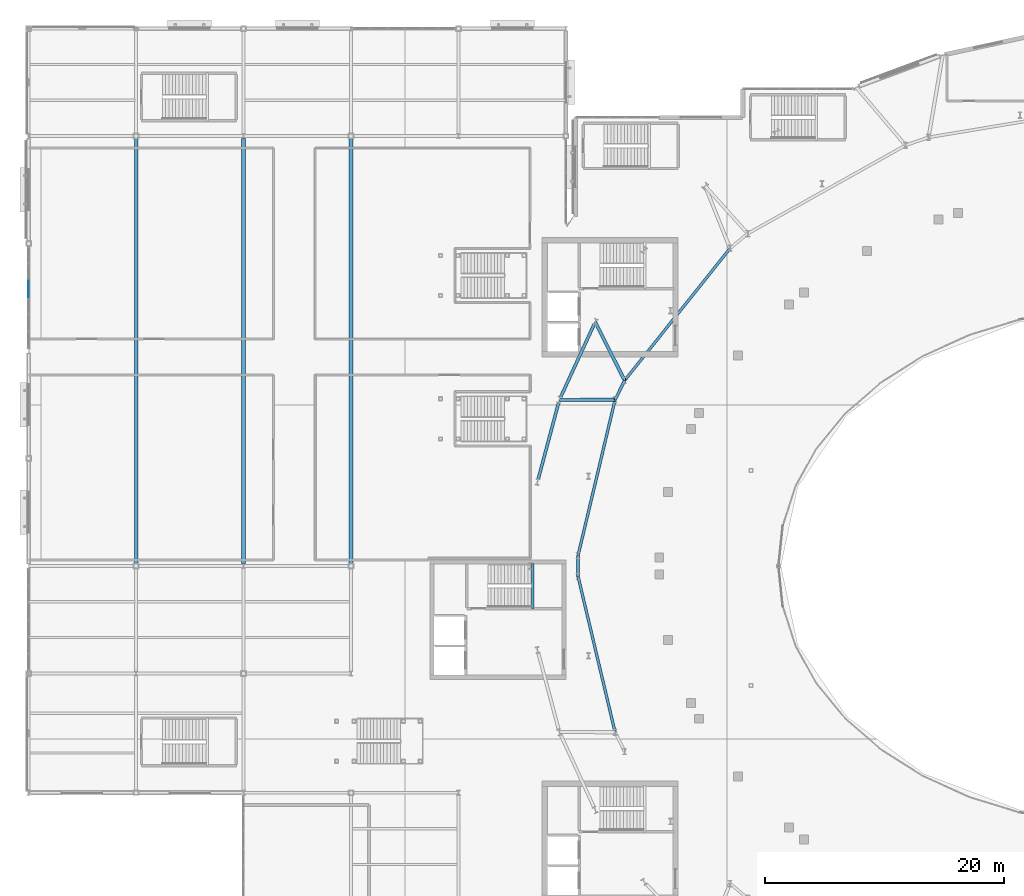
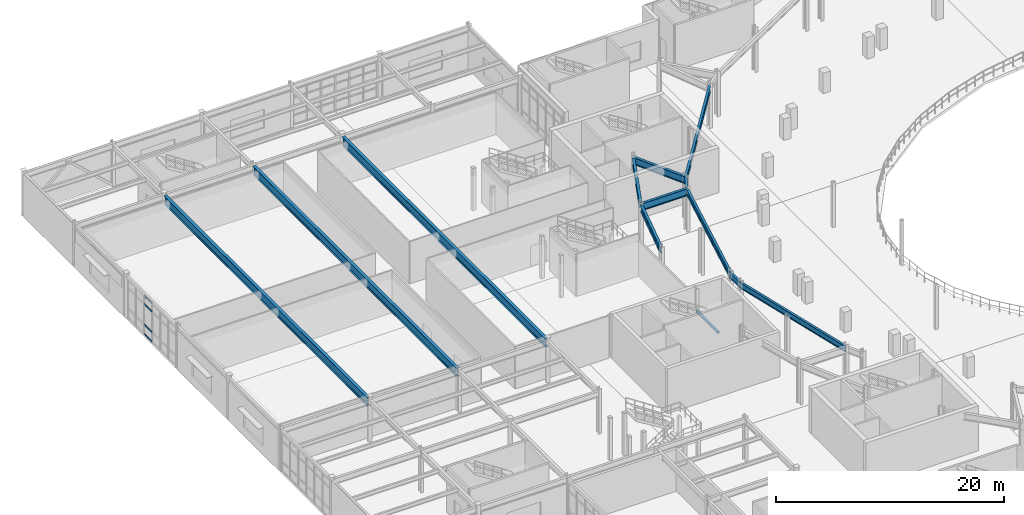
# One storey, part 38 of 84: 13 beams, 4 members, 1 element without a shape of its own.
"""IFC4 building model written with IfcOpenShell, lengths in metres."""

from ifc_helpers import new_model, si_unit, direction, frame, origin, origin_2d, place, context, subcontext, project, spatial, rectangle, hollow_rectangle, i_section, extrude, material, material_profile, profile_set, type_object, element, aggregate, save


model = new_model("IFC4")

# Units and contexts
model_context = context("Model", 3, precision=1e-05, world=origin(), true_north=direction((0.0, 1.0)))
body_context = subcontext(model_context, "Body", "Model", "MODEL_VIEW")
ifc_project = project(units=[si_unit("LENGTHUNIT", "METRE"), si_unit("AREAUNIT", "SQUARE_METRE"), si_unit("VOLUMEUNIT", "CUBIC_METRE"), si_unit("PLANEANGLEUNIT", "RADIAN"), si_unit("MASSUNIT", "GRAM", prefix="KILO")], contexts=[model_context])

# Site, building, storey
site_placement = place(None, origin())
site = spatial("IfcSite", under=ifc_project, at=site_placement, CompositionType="ELEMENT")
building_placement = place(site_placement, origin())
building = spatial("IfcBuilding", under=site, at=building_placement, Name="Glasvene Arena", CompositionType="ELEMENT")
storey_placement = place(building_placement, frame((0.0, 0.0, 10.199951171875)))
storey = spatial("IfcBuildingStorey", under=building, at=storey_placement, Name="L02", CompositionType="ELEMENT", Elevation=10.199951171875)

# Beams
ifc_material_1 = material(Name="Steel S355J2", Category="steel")
ifc_material_profile_1 = material_profile(ifc_material_1, i_section(OverallWidth=0.228271484375, OverallDepth=0.607666015625, WebThickness=0.010986328125, FlangeThickness=0.017333984375, FilletRadius=0.0126953125, at=origin_2d()), Name="UKB 610x229x113")
ifc_profile_set_1 = profile_set([ifc_material_profile_1], Name="Steel S355J2")
beam_type_1 = type_object("IfcBeamType", Name="BM-GIRD-610", PredefinedType="BEAM", material=ifc_profile_set_1)
beam_1_placement = place(storey_placement, frame((58.743408203125, 99.59912109375, 4.215087890625), z_axis=(-0.623899670594, -0.781504447226, 0.0), x_axis=(0.781504447226, -0.623899670594, 0.0)))
element("IfcBeam", 1, at=beam_1_placement, inside=storey, type_object=beam_type_1, Name="Concourse inner ring girder L02-13", PredefinedType="BEAM", context=body_context, shape_type="SweptSolid", body=[
    extrude(i_section(OverallWidth=0.228271484375, OverallDepth=0.607666015625, WebThickness=0.010986328125, FlangeThickness=0.017333984375, FilletRadius=0.0126953125, at=origin_2d()), origin(), (0.0, 0.0, 1.0), 14.1552734375),
])
beam_2_placement = place(storey_placement, frame((49.911865234375, 88.53662109375, 4.215087890625), z_axis=(-0.443576698242, -0.896236415672, 0.0), x_axis=(0.896236415672, -0.443576698242, 0.0)))
element("IfcBeam", 2, at=beam_2_placement, inside=storey, type_object=beam_type_1, Name="Concourse inner ring girder L02-14", PredefinedType="BEAM", context=body_context, shape_type="SweptSolid", body=[
    extrude(i_section(OverallWidth=0.228271484375, OverallDepth=0.607666015625, WebThickness=0.010986328125, FlangeThickness=0.017333984375, FilletRadius=0.0126953125, at=origin_2d()), origin(), (0.0, 0.0, 1.0), 1.80078125),
])
beam_3_placement = place(storey_placement, frame((49.113037109375, 86.922607421875, 4.215087890625), z_axis=(-0.23122513322, -0.972900271234, 0.0), x_axis=(0.972900271234, -0.23122513322, 0.0)))
element("IfcBeam", 3, at=beam_3_placement, inside=storey, type_object=beam_type_1, Name="Concourse inner ring girder L02-15", PredefinedType="BEAM", context=body_context, shape_type="SweptSolid", body=[
    extrude(i_section(OverallWidth=0.228271484375, OverallDepth=0.607666015625, WebThickness=0.010986328125, FlangeThickness=0.017333984375, FilletRadius=0.0126953125, at=origin_2d()), origin(), (0.0, 0.0, 1.0), 13.41259765625),
])
beam_4_placement = place(storey_placement, frame((46.01171875, 73.87353515625, 4.215087890625), z_axis=(0.0, -1.0, 0.0), x_axis=(1.0, 0.0, 0.0)))
element("IfcBeam", 4, at=beam_4_placement, inside=storey, type_object=beam_type_1, Name="Concourse inner ring girder L02-16", PredefinedType="BEAM", context=body_context, shape_type="SweptSolid", body=[
    extrude(i_section(OverallWidth=0.228271484375, OverallDepth=0.607666015625, WebThickness=0.010986328125, FlangeThickness=0.017333984375, FilletRadius=0.0126953125, at=origin_2d()), origin(), (0.0, 0.0, 1.0), 1.7470703125),
])
beam_5_placement = place(storey_placement, frame((46.01171875, 72.12646484375, 4.215087890625), z_axis=(0.23122513322, -0.972900271234, 0.0), x_axis=(0.972900271234, 0.23122513322, 0.0)))
element("IfcBeam", 5, at=beam_5_placement, inside=storey, type_object=beam_type_1, Name="Concourse inner ring girder L02-17", PredefinedType="BEAM", context=body_context, shape_type="SweptSolid", body=[
    extrude(i_section(OverallWidth=0.228271484375, OverallDepth=0.607666015625, WebThickness=0.010986328125, FlangeThickness=0.017333984375, FilletRadius=0.0126953125, at=origin_2d()), origin(), (0.0, 0.0, 1.0), 13.41259765625),
])
ifc_material_profile_2 = material_profile(ifc_material_1, i_section(OverallWidth=0.253662109375, OverallDepth=0.68359375, WebThickness=0.012451171875, FlangeThickness=0.01904296875, FilletRadius=0.01513671875, at=origin_2d()), Name="UKB 686x254x140")
ifc_profile_set_2 = profile_set([ifc_material_profile_2], Name="Steel S355J2")
beam_type_2 = type_object("IfcBeamType", Name="BM-GIRD-686", PredefinedType="BEAM", material=ifc_profile_set_2)
beam_6_placement = place(storey_placement, frame((47.349365234375, 93.211669921875, 4.178466796875), z_axis=(-0.418069169042, -0.908415196866, 0.0), x_axis=(0.908415196866, -0.418069169042, 0.0)))
element("IfcBeam", 6, at=beam_6_placement, inside=storey, type_object=beam_type_2, Name="Bowl ring chord beam L02-18", PredefinedType="BEAM", context=body_context, shape_type="SweptSolid", body=[
    extrude(i_section(OverallWidth=0.253662109375, OverallDepth=0.68359375, WebThickness=0.012451171875, FlangeThickness=0.01904296875, FilletRadius=0.01513671875, at=origin_2d()), origin(), (0.0, 0.0, 1.0), 6.70166015625),
])
beam_7_placement = place(storey_placement, frame((44.38525390625, 86.673828125, 4.178466796875), z_axis=(-0.257729153992, -0.966217202901, 0.0), x_axis=(0.966217202901, -0.257729153992, 0.0)))
element("IfcBeam", 7, at=beam_7_placement, inside=storey, type_object=beam_type_2, Name="Bowl ring chord beam L02-19", PredefinedType="BEAM", context=body_context, shape_type="SweptSolid", body=[
    extrude(i_section(OverallWidth=0.253662109375, OverallDepth=0.68359375, WebThickness=0.012451171875, FlangeThickness=0.01904296875, FilletRadius=0.01513671875, at=origin_2d()), origin(), (0.0, 0.0, 1.0), 6.626220703125),
])
ifc_material_profile_3 = material_profile(ifc_material_1, i_section(OverallWidth=0.2666015625, OverallDepth=0.76220703125, WebThickness=0.014404296875, FlangeThickness=0.021484375, FilletRadius=0.0166015625, at=origin_2d()), Name="UKB 762x267x173")
ifc_profile_set_3 = profile_set([ifc_material_profile_3], Name="Steel S355J2")
beam_type_3 = type_object("IfcBeamType", Name="BM-GIRD-762", PredefinedType="BEAM", material=ifc_profile_set_3)
beam_8_placement = place(storey_placement, frame((49.911865234375, 88.53662109375, 4.138916015625), z_axis=(-0.449494152887, 0.893283273391, 0.0), x_axis=(-0.893283273391, -0.449494152887, 0.0)))
element("IfcBeam", 8, at=beam_8_placement, inside=storey, type_object=beam_type_3, Name="Radial concourse girder L02-14", PredefinedType="BEAM", context=body_context, shape_type="SweptSolid", body=[
    extrude(i_section(OverallWidth=0.2666015625, OverallDepth=0.76220703125, WebThickness=0.014404296875, FlangeThickness=0.021484375, FilletRadius=0.0166015625, at=origin_2d()), origin(), (0.0, 0.0, 1.0), 5.4775390625),
])
beam_9_placement = place(storey_placement, frame((49.113037109375, 86.922607421875, 4.138916015625), z_axis=(-0.999993482259, -0.003610462575, 0.0), x_axis=(0.003610462575, -0.999993482259, 0.0)))
element("IfcBeam", 9, at=beam_9_placement, inside=storey, type_object=beam_type_3, Name="Radial concourse girder L02-15", PredefinedType="BEAM", context=body_context, shape_type="SweptSolid", body=[
    extrude(i_section(OverallWidth=0.2666015625, OverallDepth=0.76220703125, WebThickness=0.014404296875, FlangeThickness=0.021484375, FilletRadius=0.0166015625, at=origin_2d()), origin(), (0.0, 0.0, 1.0), 4.665771484375),
])
ifc_material_profile_4 = material_profile(ifc_material_1, i_section(OverallWidth=0.30419921875, OverallDepth=0.910400390625, WebThickness=0.015869140625, FlangeThickness=0.02392578125, FilletRadius=0.01904296875, at=origin_2d()), Name="UKB 914x305x224")
ifc_profile_set_4 = profile_set([ifc_material_profile_4], Name="Steel S355J2")
beam_type_4 = type_object("IfcBeamType", Name="BM-GIRD-914", PredefinedType="BEAM", material=ifc_profile_set_4)
beam_10_placement = place(storey_placement, frame((9.0, 73.1982421875, 4.06494140625), z_axis=(0.0, 1.0, 0.0), x_axis=(-1.0, 0.0, 0.0)))
element("IfcBeam", 10, at=beam_10_placement, inside=storey, type_object=beam_type_4, Name="Primary Y girder L02-0844", PredefinedType="BEAM", context=body_context, shape_type="SweptSolid", body=[
    extrude(i_section(OverallWidth=0.30419921875, OverallDepth=0.910400390625, WebThickness=0.015869140625, FlangeThickness=0.02392578125, FilletRadius=0.01904296875, at=origin_2d()), origin(), (0.0, 0.0, 1.0), 35.603515625),
])
beam_11_placement = place(storey_placement, frame((18.0, 73.195068359375, 4.06494140625), z_axis=(0.0, 1.0, 0.0), x_axis=(-1.0, 0.0, 0.0)))
element("IfcBeam", 11, at=beam_11_placement, inside=storey, type_object=beam_type_4, Name="Primary Y girder L02-0852", PredefinedType="BEAM", context=body_context, shape_type="SweptSolid", body=[
    extrude(i_section(OverallWidth=0.30419921875, OverallDepth=0.910400390625, WebThickness=0.015869140625, FlangeThickness=0.02392578125, FilletRadius=0.01904296875, at=origin_2d()), origin(), (0.0, 0.0, 1.0), 35.60986328125),
])
beam_12_placement = place(storey_placement, frame((27.0, 73.1982421875, 4.06494140625), z_axis=(0.0, 1.0, 0.0), x_axis=(-1.0, 0.0, 0.0)))
element("IfcBeam", 12, at=beam_12_placement, inside=storey, type_object=beam_type_4, Name="Primary Y girder L02-0861", PredefinedType="BEAM", context=body_context, shape_type="SweptSolid", body=[
    extrude(i_section(OverallWidth=0.30419921875, OverallDepth=0.910400390625, WebThickness=0.015869140625, FlangeThickness=0.02392578125, FilletRadius=0.01904296875, at=origin_2d()), origin(), (0.0, 0.0, 1.0), 35.603515625),
])
ifc_material_profile_5 = material_profile(ifc_material_1, hollow_rectangle(XDim=0.199951171875, YDim=0.199951171875, WallThickness=0.010009765625, at=origin_2d()), Name="SHS 200x200x10.0")
ifc_profile_set_5 = profile_set([ifc_material_profile_5], Name="Steel S355J2")
beam_type_5 = type_object("IfcBeamType", Name="BM-LINTEL-200", PredefinedType="LINTEL", material=ifc_profile_set_5)
beam_13_placement = place(storey_placement, frame((42.2099609375, 69.429931640625, 2.080078125), z_axis=(0.0, 1.0, 0.0), x_axis=(-1.0, 0.0, 0.0)))
element("IfcBeam", 13, at=beam_13_placement, inside=storey, type_object=beam_type_5, Name="Stair half-landing support beam ST-07-L02", PredefinedType="LINTEL", context=body_context, shape_type="SweptSolid", body=[
    extrude(hollow_rectangle(XDim=0.199951171875, YDim=0.199951171875, WallThickness=0.010009765625, at=origin_2d()), origin(), (0.0, 0.0, 1.0), 3.7900390625),
])

# Curtain wall, members
ifc_material_2 = material(Name="Low-emissivity laminated double glazing", Category="glass")
curtain_wall_type = type_object("IfcCurtainWallType", Name="CW-FAC-L01-851x416", PredefinedType="USERDEFINED", material=ifc_material_2)
curtain_wall_placement = place(storey_placement, frame((0.0, 91.241943359375, 0.0)))
curtain_wall = element("IfcCurtainWall", 14, at=curtain_wall_placement, inside=storey, type_object=curtain_wall_type, Name="Unitised curtain wall CW-F-L02-180-0-955-4", ObjectType="CURTAIN WALL", PredefinedType="USERDEFINED")
ifc_material_3 = material(Name="Anodised architectural aluminium", Category="aluminium")
ifc_material_profile_6 = material_profile(ifc_material_3, rectangle(XDim=0.050048828125, YDim=0.14990234375, at=origin_2d()), Name="ALU TRANSOM 50x150")
ifc_profile_set_6 = profile_set([ifc_material_profile_6], Name="Anodised architectural aluminium")
member_type = type_object("IfcMemberType", Name="CW-TRN-150", PredefinedType="USERDEFINED", material=ifc_profile_set_6)
member_1_placement = place(storey_placement, frame((0.0, 95.5234375, 0.0849609375), z_axis=(0.0, 1.0, 0.0), x_axis=(-1.0, 0.0, 0.0)))
member_1 = element("IfcMember", 15, at=member_1_placement, type_object=member_type, Name="CW-016 transom 4.1", ObjectType="TRANSOM", PredefinedType="USERDEFINED", context=body_context, shape_type="SweptSolid", body=[
    extrude(rectangle(XDim=0.050048828125, YDim=0.14990234375, at=origin_2d()), origin(), (0.0, 0.0, 1.0), 1.36865234375),
])
member_2_placement = place(storey_placement, frame((0.0, 95.5234375, 1.10009765625), z_axis=(0.0, 1.0, 0.0), x_axis=(-1.0, 0.0, 0.0)))
member_2 = element("IfcMember", 16, at=member_2_placement, type_object=member_type, Name="CW-016 transom 4.2", ObjectType="TRANSOM", PredefinedType="USERDEFINED", context=body_context, shape_type="SweptSolid", body=[
    extrude(rectangle(XDim=0.050048828125, YDim=0.14990234375, at=origin_2d()), origin(), (0.0, 0.0, 1.0), 1.36865234375),
])
member_3_placement = place(storey_placement, frame((0.0, 95.5234375, 3.31494140625), z_axis=(0.0, 1.0, 0.0), x_axis=(-1.0, 0.0, 0.0)))
member_3 = element("IfcMember", 17, at=member_3_placement, type_object=member_type, Name="CW-016 transom 4.3", ObjectType="TRANSOM", PredefinedType="USERDEFINED", context=body_context, shape_type="SweptSolid", body=[
    extrude(rectangle(XDim=0.050048828125, YDim=0.14990234375, at=origin_2d()), origin(), (0.0, 0.0, 1.0), 1.36865234375),
])
member_4_placement = place(storey_placement, frame((0.0, 95.5234375, 4.18994140625), z_axis=(0.0, 1.0, 0.0), x_axis=(-1.0, 0.0, 0.0)))
member_4 = element("IfcMember", 18, at=member_4_placement, type_object=member_type, Name="CW-016 transom 4.4", ObjectType="TRANSOM", PredefinedType="USERDEFINED", context=body_context, shape_type="SweptSolid", body=[
    extrude(rectangle(XDim=0.050048828125, YDim=0.14990234375, at=origin_2d()), origin(), (0.0, 0.0, 1.0), 1.36865234375),
])
aggregate(curtain_wall, [member_1, member_2, member_3, member_4])

save(model, "model.ifc")
